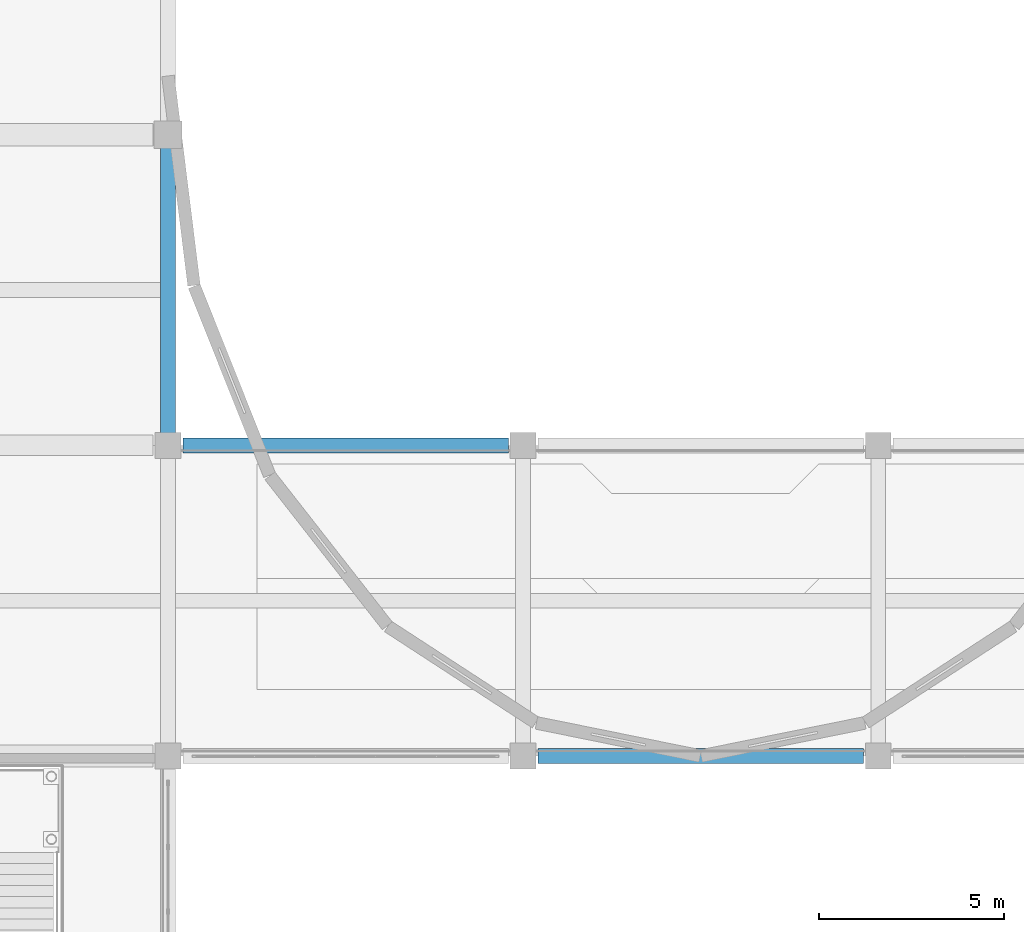
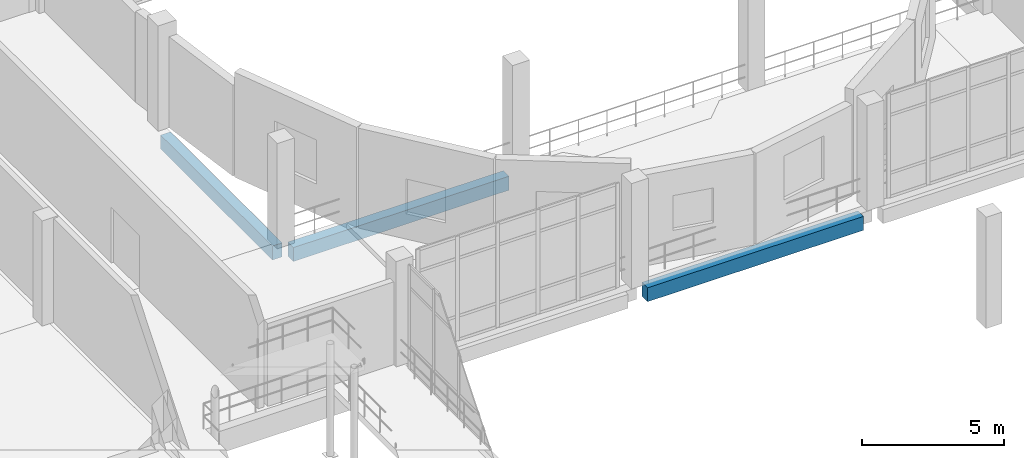
# One storey, part 44 of 102: 3 beams.
"""IFC4 building model written with IfcOpenShell, lengths in metres."""

from ifc_helpers import new_model, si_unit, direction, frame, origin, origin_2d, place, context, subcontext, project, spatial, rectangle, extrude, material, material_profile, profile_set, type_object, element, save


model = new_model("IFC4")

# Units and contexts
model_context = context("Model", 3, precision=1e-05, world=origin(), true_north=direction((0.0, 1.0)))
body_context = subcontext(model_context, "Body", "Model", "MODEL_VIEW")
ifc_project = project(units=[si_unit("LENGTHUNIT", "METRE"), si_unit("AREAUNIT", "SQUARE_METRE"), si_unit("VOLUMEUNIT", "CUBIC_METRE"), si_unit("PLANEANGLEUNIT", "RADIAN"), si_unit("MASSUNIT", "GRAM", prefix="KILO")], contexts=[model_context])

# Site, building, storey
site_placement = place(None, origin())
site = spatial("IfcSite", under=ifc_project, at=site_placement, CompositionType="ELEMENT")
building_placement = place(site_placement, origin())
building = spatial("IfcBuilding", under=site, at=building_placement, Name="Lornevale Opera House", CompositionType="ELEMENT")
storey_placement = place(building_placement, frame((0.0, 0.0, 5.39990234375)))
storey = spatial("IfcBuildingStorey", under=building, at=storey_placement, Name="L02", CompositionType="ELEMENT", Elevation=5.39990234375)

# Beams
ifc_material = material(Name="Concrete 35 MPa (CSA A23.1 N)", Category="concrete")
ifc_material_profile = material_profile(ifc_material, rectangle(XDim=0.39990234375, YDim=0.60009765625, at=origin_2d()), Name="RC400x600")
ifc_profile_set = profile_set([ifc_material_profile], Name="Concrete 35 MPa (CSA A23.1 N)")
beam_type = type_object("IfcBeamType", Name="Concrete Spandrel Beam 400x600", PredefinedType="SPANDREL", material=ifc_profile_set)
beam_1_placement = place(storey_placement, frame((77.199951171875, 33.60009765625, -0.599853515625), z_axis=(1.0, 0.0, 0.0), x_axis=(0.0, 1.0, 0.0)))
element("IfcBeam", 1, at=beam_1_placement, inside=storey, type_object=beam_type, Name="Concrete Spandrel Beam 400x600 1714", PredefinedType="SPANDREL", context=body_context, shape_type="SweptSolid", body=[
    extrude(rectangle(XDim=0.39990234375, YDim=0.60009765625, at=origin_2d()), origin(), (0.0, 0.0, 1.0), 8.800048828125),
])
beam_2_placement = place(storey_placement, frame((67.60009765625, 42.0, -0.599853515625), z_axis=(1.0, 0.0, 0.0), x_axis=(0.0, 1.0, 0.0)))
element("IfcBeam", 2, at=beam_2_placement, inside=storey, type_object=beam_type, Name="Concrete Spandrel Beam 400x600 1726", PredefinedType="SPANDREL", context=body_context, shape_type="SweptSolid", body=[
    extrude(rectangle(XDim=0.39990234375, YDim=0.60009765625, at=origin_2d()), origin(), (0.0, 0.0, 1.0), 8.7998046875),
])
beam_3_placement = place(storey_placement, frame((67.199951171875, 42.25, -0.599853515625), z_axis=(0.0, 1.0, 0.0), x_axis=(-1.0, 0.0, 0.0)))
element("IfcBeam", 3, at=beam_3_placement, inside=storey, type_object=beam_type, Name="Concrete Spandrel Beam 400x600 1894", PredefinedType="SPANDREL", context=body_context, shape_type="SweptSolid", body=[
    extrude(rectangle(XDim=0.39990234375, YDim=0.60009765625, at=origin_2d()), origin(), (0.0, 0.0, 1.0), 7.89990234375),
])

save(model, "model.ifc")
